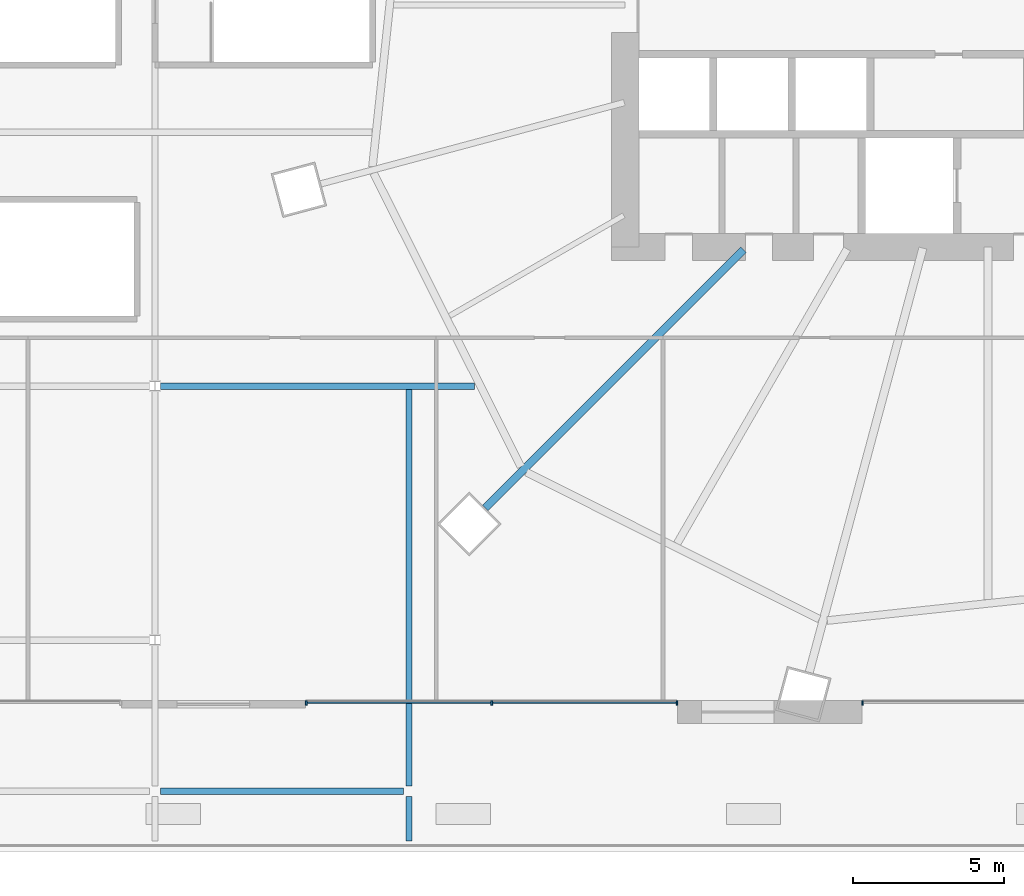
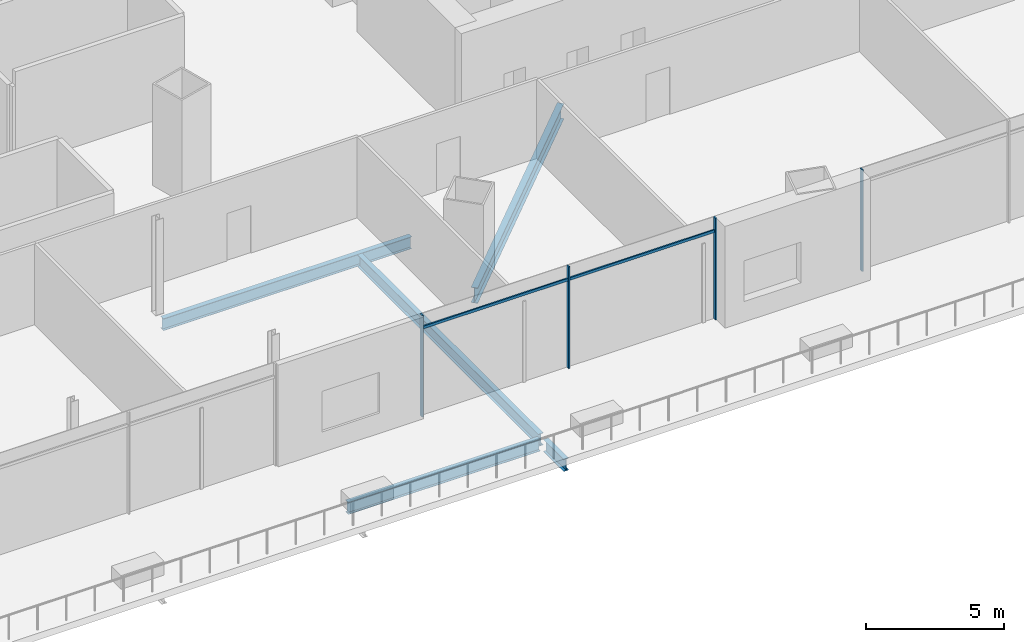
# One storey, part 20 of 49: 6 members, 5 beams, 1 element without a shape of its own.
"""IFC4 building model written with IfcOpenShell, lengths in metres."""

from ifc_helpers import new_model, si_unit, direction, frame, origin, origin_2d, place, context, subcontext, project, spatial, rectangle, i_section, extrude, material, material_profile, profile_set, type_object, element, aggregate, save


model = new_model("IFC4")

# Units and contexts
model_context = context("Model", 3, precision=1e-05, world=origin(), true_north=direction((0.0, 1.0)))
body_context = subcontext(model_context, "Body", "Model", "MODEL_VIEW")
ifc_project = project(units=[si_unit("LENGTHUNIT", "METRE"), si_unit("AREAUNIT", "SQUARE_METRE"), si_unit("VOLUMEUNIT", "CUBIC_METRE"), si_unit("PLANEANGLEUNIT", "RADIAN"), si_unit("MASSUNIT", "GRAM", prefix="KILO")], contexts=[model_context])

# Site, building, storey
site_placement = place(None, origin())
site = spatial("IfcSite", under=ifc_project, at=site_placement, CompositionType="ELEMENT")
building_placement = place(site_placement, origin())
building = spatial("IfcBuilding", under=site, at=building_placement, Name="Rimbun Link Towers", CompositionType="ELEMENT")
storey_placement = place(building_placement, frame((0.0, 0.0, 25.5)))
storey = spatial("IfcBuildingStorey", under=building, at=storey_placement, Name="L05", CompositionType="ELEMENT", Elevation=25.5)

# Curtain wall, members
ifc_material_1 = material(Name="Aluminium 6063-T6 and low-iron glass", Category="aluminium")
curtain_wall_type = type_object("IfcCurtainWallType", Name="CW3 podium shopfront", PredefinedType="NOTDEFINED", material=ifc_material_1)
curtain_wall_placement = place(storey_placement, origin())
curtain_wall = element("IfcCurtainWall", 1, at=curtain_wall_placement, inside=storey, type_object=curtain_wall_type, Name="CW3 L05 PD", PredefinedType="NOTDEFINED")
ifc_material_2 = material(Name="Aluminium 6063-T6", Category="aluminium")
ifc_material_profile_1 = material_profile(ifc_material_2, rectangle(XDim=0.14990234375, YDim=0.06005859375, at=origin_2d()), Name="MULLION 60X150")
ifc_profile_set_1 = profile_set([ifc_material_profile_1], Name="Aluminium 6063-T6")
member_type_1 = type_object("IfcMemberType", Name="CW3 mullion 60X150", PredefinedType="MULLION", material=ifc_profile_set_1)
member_1_placement = place(storey_placement, frame((9.199951171875, -23.074951171875, 0.0), z_axis=(0.0, 0.0, 1.0), x_axis=(0.0, -1.0, 0.0)))
member_1 = element("IfcMember", 2, at=member_1_placement, type_object=member_type_1, Name="CW3 mullion", PredefinedType="MULLION", context=body_context, shape_type="SweptSolid", body=[
    extrude(rectangle(XDim=0.14990234375, YDim=0.06005859375, at=origin_2d()), origin(), (0.0, 0.0, 1.0), 4.5),
])
member_2_placement = place(storey_placement, frame((15.333251953125, -23.074951171875, 0.0), z_axis=(0.0, 0.0, 1.0), x_axis=(0.0, -1.0, 0.0)))
member_2 = element("IfcMember", 3, at=member_2_placement, type_object=member_type_1, Name="CW3 mullion", PredefinedType="MULLION", context=body_context, shape_type="SweptSolid", body=[
    extrude(rectangle(XDim=0.14990234375, YDim=0.06005859375, at=origin_2d()), origin(), (0.0, 0.0, 1.0), 4.5),
])
member_3_placement = place(storey_placement, frame((21.466552734375, -23.074951171875, 0.0), z_axis=(0.0, 0.0, 1.0), x_axis=(0.0, -1.0, 0.0)))
member_3 = element("IfcMember", 4, at=member_3_placement, type_object=member_type_1, Name="CW3 mullion", PredefinedType="MULLION", context=body_context, shape_type="SweptSolid", body=[
    extrude(rectangle(XDim=0.14990234375, YDim=0.06005859375, at=origin_2d()), origin(), (0.0, 0.0, 1.0), 4.5),
])
member_4_placement = place(storey_placement, frame((27.60009765625, -23.074951171875, 0.0), z_axis=(0.0, 0.0, 1.0), x_axis=(0.0, -1.0, 0.0)))
member_4 = element("IfcMember", 5, at=member_4_placement, type_object=member_type_1, Name="CW3 mullion", PredefinedType="MULLION", context=body_context, shape_type="SweptSolid", body=[
    extrude(rectangle(XDim=0.14990234375, YDim=0.06005859375, at=origin_2d()), origin(), (0.0, 0.0, 1.0), 4.5),
])
ifc_material_3 = material(Name="Aluminium 6063-T6", Category="aluminium")
ifc_material_profile_2 = material_profile(ifc_material_3, rectangle(XDim=0.06005859375, YDim=0.1201171875, at=origin_2d()), Name="TRANSOM 60X120")
ifc_profile_set_2 = profile_set([ifc_material_profile_2], Name="Aluminium 6063-T6")
member_type_2 = type_object("IfcMemberType", Name="CW3 transom 60X120", PredefinedType="USERDEFINED", material=ifc_profile_set_2)
member_5_placement = place(storey_placement, frame((15.30322265625, -23.053955078125, 3.89990234375), z_axis=(-1.0, 0.0, 0.0), x_axis=(0.0, -1.0, 0.0)))
member_5 = element("IfcMember", 6, at=member_5_placement, type_object=member_type_2, Name="CW3 transom", ObjectType="TRANSOM", PredefinedType="USERDEFINED", context=body_context, shape_type="SweptSolid", body=[
    extrude(rectangle(XDim=0.06005859375, YDim=0.1201171875, at=origin_2d()), origin(), (0.0, 0.0, 1.0), 6.0732421875),
])
member_6_placement = place(storey_placement, frame((21.436767578125, -23.053955078125, 3.89990234375), z_axis=(-1.0, 0.0, 0.0), x_axis=(0.0, -1.0, 0.0)))
member_6 = element("IfcMember", 7, at=member_6_placement, type_object=member_type_2, Name="CW3 transom", ObjectType="TRANSOM", PredefinedType="USERDEFINED", context=body_context, shape_type="SweptSolid", body=[
    extrude(rectangle(XDim=0.06005859375, YDim=0.1201171875, at=origin_2d()), origin(), (0.0, 0.0, 1.0), 6.073486328125),
])
aggregate(curtain_wall, [member_1, member_2, member_3, member_4, member_5, member_6])

# Beams
ifc_material_4 = material(Name="Steel S355J2", Category="steel")
ifc_material_profile_3 = material_profile(ifc_material_4, i_section(OverallWidth=0.209228515625, OverallDepth=0.533203125, WebThickness=0.010009765625, FlangeThickness=0.015625, at=origin_2d()), Name="UB 533x210x92")
ifc_profile_set_3 = profile_set([ifc_material_profile_3], Name="Steel S355J2")
beam_type_1 = type_object("IfcBeamType", Name="UB 533x210x92", PredefinedType="BEAM", material=ifc_profile_set_3)
beam_1_placement = place(storey_placement, frame((4.38525390625, -26.0, -0.56640625), z_axis=(1.0, 0.0, 0.0), x_axis=(0.0, 1.0, 0.0)))
element("IfcBeam", 8, at=beam_1_placement, inside=storey, type_object=beam_type_1, Name="Grid beam L05 -26.0", PredefinedType="BEAM", context=body_context, shape_type="SweptSolid", body=[
    extrude(i_section(OverallWidth=0.209228515625, OverallDepth=0.533203125, WebThickness=0.010009765625, FlangeThickness=0.015625, at=origin_2d()), origin(), (0.0, 0.0, 1.0), 8.029541015625),
])
beam_2_placement = place(storey_placement, frame((4.38525390625, -12.60009765625, -0.56640625), z_axis=(1.0, 0.0, 0.0), x_axis=(0.0, 1.0, 0.0)))
element("IfcBeam", 9, at=beam_2_placement, inside=storey, type_object=beam_type_1, Name="Grid beam L05 -12.6", PredefinedType="BEAM", context=body_context, shape_type="SweptSolid", body=[
    extrude(i_section(OverallWidth=0.209228515625, OverallDepth=0.533203125, WebThickness=0.010009765625, FlangeThickness=0.015625, at=origin_2d()), origin(), (0.0, 0.0, 1.0), 10.385009765625),
])
beam_3_placement = place(storey_placement, frame((12.60009765625, -27.64892578125, -0.56640625), z_axis=(0.0, 1.0, 0.0), x_axis=(-1.0, 0.0, 0.0)))
element("IfcBeam", 10, at=beam_3_placement, inside=storey, type_object=beam_type_1, Name="Grid beam L05 +12.6", PredefinedType="BEAM", context=body_context, shape_type="SweptSolid", body=[
    extrude(i_section(OverallWidth=0.209228515625, OverallDepth=0.533203125, WebThickness=0.010009765625, FlangeThickness=0.015625, at=origin_2d()), origin(), (0.0, 0.0, 1.0), 1.468017578125),
])
beam_4_placement = place(storey_placement, frame((12.60009765625, -25.819091796875, -0.56640625), z_axis=(0.0, 1.0, 0.0), x_axis=(-1.0, 0.0, 0.0)))
element("IfcBeam", 11, at=beam_4_placement, inside=storey, type_object=beam_type_1, Name="Grid beam L05 +12.6", PredefinedType="BEAM", context=body_context, shape_type="SweptSolid", body=[
    extrude(i_section(OverallWidth=0.209228515625, OverallDepth=0.533203125, WebThickness=0.010009765625, FlangeThickness=0.015625, at=origin_2d()), origin(), (0.0, 0.0, 1.0), 13.114501953125),
])
ifc_material_5 = material(Name="Steel S355J2", Category="steel")
ifc_material_profile_4 = material_profile(ifc_material_5, i_section(OverallWidth=0.253662109375, OverallDepth=0.68359375, WebThickness=0.012451171875, FlangeThickness=0.01904296875, at=origin_2d()), Name="UB 686x254x140")
ifc_profile_set_4 = profile_set([ifc_material_profile_4], Name="Steel S355J2")
beam_type_2 = type_object("IfcBeamType", Name="UB 686x254x140", PredefinedType="BEAM", material=ifc_profile_set_4)
beam_5_placement = place(storey_placement, frame((23.65966796875, -8.09033203125, -0.641845703125), z_axis=(-0.707106781187, -0.707106781187, 0.0), x_axis=(0.707106781187, -0.707106781187, 0.0)))
element("IfcBeam", 12, at=beam_5_placement, inside=storey, type_object=beam_type_2, Name="Radial beam T2 L05 12", PredefinedType="BEAM", context=body_context, shape_type="SweptSolid", body=[
    extrude(i_section(OverallWidth=0.253662109375, OverallDepth=0.68359375, WebThickness=0.012451171875, FlangeThickness=0.01904296875, at=origin_2d()), origin(), (0.0, 0.0, 1.0), 12.0712890625),
])

save(model, "model.ifc")
